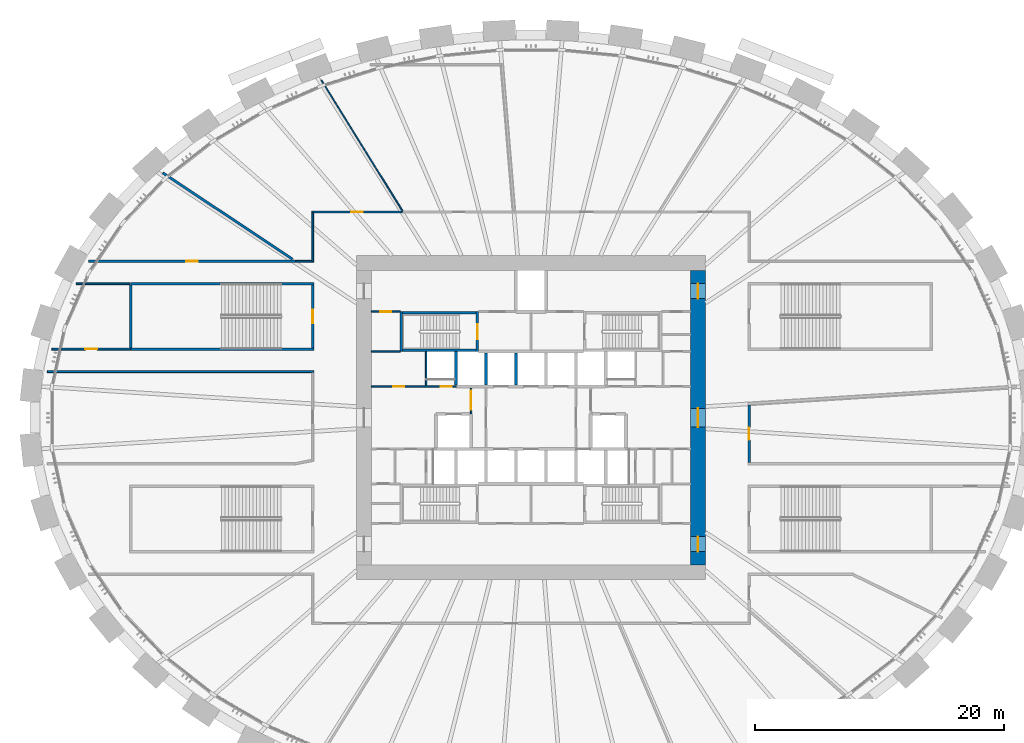
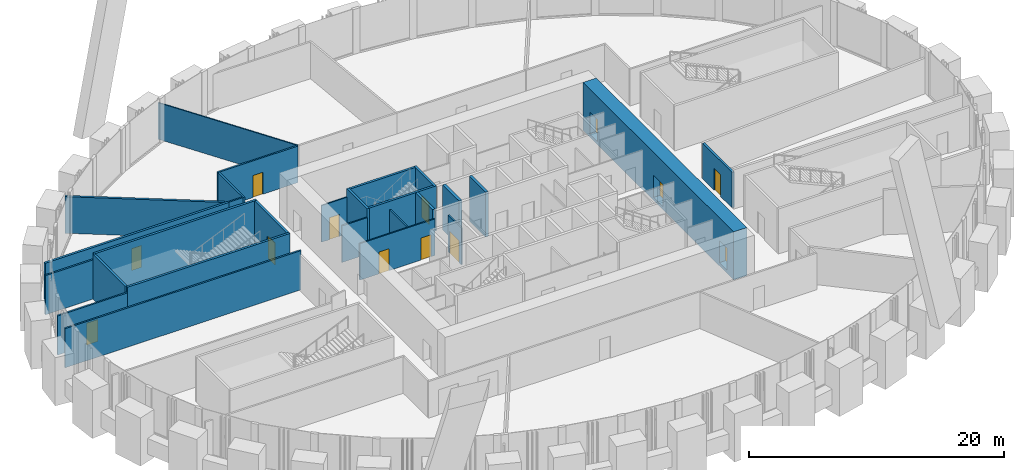
# One storey, part 8 of 21: 27 walls, 13 doors, 13 openings.
"""IFC4 building model written with IfcOpenShell, lengths in metres."""

from ifc_helpers import new_model, si_unit, direction, frame, frame_2d, origin, place, context, subcontext, project, spatial, rectangle, extrude, source, transform, mapped, material, layer, layer_set, type_object, element, fill, save


model = new_model("IFC4")

# Units and contexts
model_context = context("Model", 3, precision=1e-05, world=origin(), true_north=direction((0.0, 1.0)))
body_context = subcontext(model_context, "Body", "Model", "MODEL_VIEW")
ifc_project = project(units=[si_unit("LENGTHUNIT", "METRE"), si_unit("AREAUNIT", "SQUARE_METRE"), si_unit("VOLUMEUNIT", "CUBIC_METRE"), si_unit("PLANEANGLEUNIT", "RADIAN"), si_unit("MASSUNIT", "GRAM", prefix="KILO")], contexts=[model_context])

# Site, building, storey
site_placement = place(None, origin())
site = spatial("IfcSite", under=ifc_project, at=site_placement, CompositionType="ELEMENT")
building_placement = place(site_placement, origin())
building = spatial("IfcBuilding", under=site, at=building_placement, Name="Embergate Tower", CompositionType="ELEMENT")
storey_placement = place(building_placement, frame((0.0, 0.0, 33.5)))
storey = spatial("IfcBuildingStorey", under=building, at=storey_placement, Name="L04", CompositionType="ELEMENT", Elevation=33.5)

# Wall, openings, doors
ifc_material_1 = material(Name="Concrete C80", Category="concrete")
ifc_layer_1 = layer(ifc_material_1, 1.199951171875)
ifc_layer_set_1 = layer_set([ifc_layer_1], Name="Concrete C80")
wall_type_1 = type_object("IfcWallType", Name="Core outer wall C80 1200", PredefinedType="SHEAR", material=ifc_layer_set_1)
shared_shape_1 = source(origin(), body_context, "Body", "SweptSolid", [
    extrude(rectangle(XDim=23.60009765625, YDim=1.199951171875, at=frame_2d((11.800048828125, 0.0))), origin(), (0.0, 0.0, 1.0), 4.60009765625),
])
wall_1_placement = place(storey_placement, frame((13.39990234375, -11.800048828125, -0.300048828125), z_axis=(0.0, 0.0, 1.0), x_axis=(0.0, 1.0, 0.0)))
wall_1 = element("IfcWall", 1, at=wall_1_placement, inside=storey, type_object=wall_type_1, Name="CW-L04-E", PredefinedType="SHEAR", context=body_context, shape_type="MappedRepresentation", body=[
    mapped(shared_shape_1, transform((0.0, 0.0, 0.0))),
])
shared_shape_2 = source(origin(), body_context, "Body", "SweptSolid", [
    extrude(rectangle(XDim=1.199951171875, YDim=2.10009765625, at=frame_2d((0.60009765625, 1.050048828125))), frame((0.0, 0.60986328125, 0.0), z_axis=(0.0, -1.0, 0.0), x_axis=(1.0, 0.0, 0.0)), (0.0, 0.0, 1.0), 1.219970703125),
])
opening_1_placement = place(wall_1_placement, frame((21.35009765625, 0.0, 0.300048828125)))
opening_1 = element("IfcOpeningElement", 2, at=opening_1_placement, cuts=wall_1, Name="Opening IF-1", PredefinedType="OPENING", context=body_context, shape_type="MappedRepresentation", body=[
    mapped(shared_shape_2, transform((0.0, 0.0, 0.0))),
])
opening_2_placement = place(wall_1_placement, frame((1.050048828125, 0.0, 0.300048828125)))
opening_2 = element("IfcOpeningElement", 3, at=opening_2_placement, cuts=wall_1, Name="Opening IF-1", PredefinedType="OPENING", context=body_context, shape_type="MappedRepresentation", body=[
    mapped(shared_shape_2, transform((0.0, 0.0, 0.0))),
])
shared_shape_3 = source(origin(), body_context, "Body", "SweptSolid", [
    extrude(rectangle(XDim=1.5, YDim=2.10009765625, at=frame_2d((0.75, 1.050048828125))), frame((0.0, 0.60986328125, 0.0), z_axis=(0.0, -1.0, 0.0), x_axis=(1.0, 0.0, 0.0)), (0.0, 0.0, 1.0), 1.219970703125),
])
opening_3_placement = place(wall_1_placement, frame((11.050048828125, 0.0, 0.300048828125)))
opening_3 = element("IfcOpeningElement", 4, at=opening_3_placement, cuts=wall_1, Name="Opening IF-3", PredefinedType="OPENING", context=body_context, shape_type="MappedRepresentation", body=[
    mapped(shared_shape_3, transform((0.0, 0.0, 0.0))),
])
ifc_material_2 = material(Name="Escape fire door 1200")
door_type_1 = type_object("IfcDoorType", Name="Escape fire door 1200", OperationType="SINGLE_SWING_LEFT", PredefinedType="DOOR", material=ifc_material_2)
shared_shape_4 = source(origin(), body_context, "Body", "SweptSolid", [
    extrude(rectangle(XDim=1.199951171875, YDim=2.10009765625, at=frame_2d((0.60009765625, 1.050048828125))), frame((0.0, 0.02490234375, 0.0), z_axis=(0.0, -1.0, 0.0), x_axis=(1.0, 0.0, 0.0)), (0.0, 0.0, 1.0), 0.050048828125),
])
door_1_placement = place(opening_1_placement, origin())
door_1 = element("IfcDoor", 5, at=door_1_placement, inside=storey, type_object=door_type_1, Name="IF-1 door", OperationType="SINGLE_SWING_RIGHT", OverallHeight=2.10009765625, OverallWidth=1.199951171875, PredefinedType="DOOR", context=body_context, shape_type="MappedRepresentation", body=[
    mapped(shared_shape_4, transform((0.0, 0.0, 0.0))),
])
fill(opening_1, door_1)
door_2_placement = place(opening_2_placement, origin())
door_2 = element("IfcDoor", 6, at=door_2_placement, inside=storey, type_object=door_type_1, Name="IF-1 door", OperationType="SINGLE_SWING_LEFT", OverallHeight=2.10009765625, OverallWidth=1.199951171875, PredefinedType="DOOR", context=body_context, shape_type="MappedRepresentation", body=[
    mapped(shared_shape_4, transform((0.0, 0.0, 0.0))),
])
fill(opening_2, door_2)
ifc_material_3 = material(Name="Lobby fire door pair 1500")
door_type_2 = type_object("IfcDoorType", Name="Lobby fire door pair 1500", OperationType="DOUBLE_DOOR_SINGLE_SWING", PredefinedType="DOOR", material=ifc_material_3)
shared_shape_5 = source(origin(), body_context, "Body", "SweptSolid", [
    extrude(rectangle(XDim=1.5, YDim=2.10009765625, at=frame_2d((0.75, 1.050048828125))), frame((0.0, 0.02490234375, 0.0), z_axis=(0.0, -1.0, 0.0), x_axis=(1.0, 0.0, 0.0)), (0.0, 0.0, 1.0), 0.050048828125),
])
door_3_placement = place(opening_3_placement, origin())
door_3 = element("IfcDoor", 7, at=door_3_placement, inside=storey, type_object=door_type_2, Name="IF-3 door", OperationType="DOUBLE_DOOR_SINGLE_SWING", OverallHeight=2.10009765625, OverallWidth=1.5, PredefinedType="DOOR", context=body_context, shape_type="MappedRepresentation", body=[
    mapped(shared_shape_5, transform((0.0, 0.0, 0.0))),
])
fill(opening_3, door_3)

# Wall
ifc_material_4 = material(Name="Concrete C50", Category="concrete")
ifc_layer_2 = layer(ifc_material_4, 0.25)
ifc_layer_set_2 = layer_set([ifc_layer_2], Name="Concrete C50")
wall_type_2 = type_object("IfcWallType", Name="Hoistway wall reinforced concrete 250", PredefinedType="SHEAR", material=ifc_layer_set_2)
shared_shape_6 = source(origin(), body_context, "Body", "SweptSolid", [
    extrude(rectangle(XDim=2.675048828125, YDim=0.25, at=frame_2d((1.33740234375, 0.0))), origin(), (0.0, 0.0, 1.0), 4.300048828125),
])
wall_2_placement = place(storey_placement, frame((-6.0, 2.625, 0.0), z_axis=(0.0, 0.0, 1.0), x_axis=(0.0, 1.0, 0.0)))
element("IfcWall", 8, at=wall_2_placement, inside=storey, type_object=wall_type_2, Name="HW-1 wall", PredefinedType="SHEAR", context=body_context, shape_type="MappedRepresentation", body=[
    mapped(shared_shape_6, transform((0.0, 0.0, 0.0))),
])

# Wall, openings, doors
ifc_material_5 = material(Name="Core partition blockwork 120")
ifc_layer_3 = layer(ifc_material_5, 0.1201171875)
ifc_layer_set_3 = layer_set([ifc_layer_3], Name="Core partition blockwork 120")
wall_type_3 = type_object("IfcWallType", Name="Core partition blockwork 120", PredefinedType="PARTITIONING", material=ifc_layer_set_3)
shared_shape_7 = source(origin(), body_context, "Body", "SweptSolid", [
    extrude(rectangle(XDim=6.800048828125, YDim=0.1201171875, at=frame_2d((3.39990234375, 0.0))), origin(), (0.0, 0.0, 1.0), 3.5),
])
wall_3_placement = place(storey_placement, frame((-12.800048828125, 2.5, 0.0), z_axis=(0.0, 0.0, 1.0), x_axis=(1.0, 0.0, 0.0)))
wall_3 = element("IfcWall", 9, at=wall_3_placement, inside=storey, type_object=wall_type_3, Name="IP-3 wall", PredefinedType="PARTITIONING", context=body_context, shape_type="MappedRepresentation", body=[
    mapped(shared_shape_7, transform((0.0, 0.0, 0.0))),
])
shared_shape_8 = source(origin(), body_context, "Body", "SweptSolid", [
    extrude(rectangle(XDim=0.89990234375, YDim=2.10009765625, at=frame_2d((0.449951171875, 1.050048828125))), frame((0.0, 0.070068359375, 0.0), z_axis=(0.0, -1.0, 0.0), x_axis=(1.0, 0.0, 0.0)), (0.0, 0.0, 1.0), 0.14013671875),
])
opening_4_placement = place(wall_3_placement, frame((5.550048828125, 0.0, 0.0)))
opening_4 = element("IfcOpeningElement", 10, at=opening_4_placement, cuts=wall_3, Name="Opening ID-1", PredefinedType="OPENING", context=body_context, shape_type="MappedRepresentation", body=[
    mapped(shared_shape_8, transform((0.0, 0.0, 0.0))),
])
opening_5_placement = place(wall_3_placement, frame((1.75, 0.0, 0.0)))
opening_5 = element("IfcOpeningElement", 11, at=opening_5_placement, cuts=wall_3, Name="Opening ID-1", PredefinedType="OPENING", context=body_context, shape_type="MappedRepresentation", body=[
    mapped(shared_shape_8, transform((0.0, 0.0, 0.0))),
])
ifc_material_6 = material(Name="Interior door 900")
door_type_3 = type_object("IfcDoorType", Name="Interior door 900", OperationType="SINGLE_SWING_LEFT", PredefinedType="DOOR", material=ifc_material_6)
shared_shape_9 = source(origin(), body_context, "Body", "SweptSolid", [
    extrude(rectangle(XDim=0.89990234375, YDim=2.10009765625, at=frame_2d((0.449951171875, 1.050048828125))), frame((0.0, 0.02490234375, 0.0), z_axis=(0.0, -1.0, 0.0), x_axis=(1.0, 0.0, 0.0)), (0.0, 0.0, 1.0), 0.050048828125),
])
door_4_placement = place(opening_4_placement, origin())
door_4 = element("IfcDoor", 12, at=door_4_placement, inside=storey, type_object=door_type_3, Name="ID-1 door", OperationType="SINGLE_SWING_RIGHT", OverallHeight=2.10009765625, OverallWidth=0.89990234375, PredefinedType="DOOR", context=body_context, shape_type="MappedRepresentation", body=[
    mapped(shared_shape_9, transform((0.0, 0.0, 0.0))),
])
fill(opening_4, door_4)
door_5_placement = place(opening_5_placement, origin())
door_5 = element("IfcDoor", 13, at=door_5_placement, inside=storey, type_object=door_type_3, Name="ID-1 door", OperationType="SINGLE_SWING_RIGHT", OverallHeight=2.10009765625, OverallWidth=0.89990234375, PredefinedType="DOOR", context=body_context, shape_type="MappedRepresentation", body=[
    mapped(shared_shape_9, transform((0.0, 0.0, 0.0))),
])
fill(opening_5, door_5)

# Walls
ifc_layer_4 = layer(ifc_material_4, 0.199951171875)
ifc_layer_set_4 = layer_set([ifc_layer_4], Name="Concrete C50")
wall_type_4 = type_object("IfcWallType", Name="Stair enclosure wall reinforced concrete 250", PredefinedType="SHEAR", material=ifc_layer_set_4)
shared_shape_10 = source(origin(), body_context, "Body", "SweptSolid", [
    extrude(rectangle(XDim=6.300048828125, YDim=0.199951171875, at=frame_2d((3.14990234375, 0.0))), origin(), (0.0, 0.0, 1.0), 4.300048828125),
])
for number, where, z_axis, x_axis, name in (
    (14, (-4.199951171875, 5.39990234375, 0.0), (0.0, 0.0, 1.0), (-1.0, 0.0, 0.0), "SE-1 wall"),
    (15, (-4.199951171875, 8.39990234375, 0.0), (0.0, 0.0, 1.0), (-1.0, 0.0, 0.0), "SE-1 wall"),
):
    element("IfcWall", number, at=place(storey_placement, frame(where, z_axis=z_axis, x_axis=x_axis)), inside=storey, type_object=wall_type_4, Name=name, PredefinedType="SHEAR", context=body_context, shape_type="MappedRepresentation", body=[
        mapped(shared_shape_10, transform((0.0, 0.0, 0.0))),
    ])
shared_shape_11 = source(origin(), body_context, "Body", "SweptSolid", [
    extrude(rectangle(XDim=2.739990234375, YDim=0.1201171875, at=frame_2d((1.3701171875, 0.0))), origin(), (0.0, 0.0, 1.0), 3.5),
])
wall_4_placement = place(storey_placement, frame((-8.39990234375, 5.300048828125, 0.0), z_axis=(0.0, 0.0, 1.0), x_axis=(0.0, -1.0, 0.0)))
element("IfcWall", 16, at=wall_4_placement, inside=storey, type_object=wall_type_3, Name="IP-3 wall", PredefinedType="PARTITIONING", context=body_context, shape_type="MappedRepresentation", body=[
    mapped(shared_shape_11, transform((0.0, 0.0, 0.0))),
])
shared_shape_12 = source(origin(), body_context, "Body", "SweptSolid", [
    extrude(rectangle(XDim=2.550048828125, YDim=0.25, at=frame_2d((1.27490234375, 0.0))), origin(), (0.0, 0.0, 1.0), 4.300048828125),
])
for number, where, z_axis, x_axis, name in (
    (17, (-3.60009765625, 2.625, 0.0), (0.0, 0.0, 1.0), (0.0, 1.0, 0.0), "HW-1 wall"),
    (18, (-1.199951171875, 2.625, 0.0), (0.0, 0.0, 1.0), (0.0, 1.0, 0.0), "HW-1 wall"),
):
    element("IfcWall", number, at=place(storey_placement, frame(where, z_axis=z_axis, x_axis=x_axis)), inside=storey, type_object=wall_type_2, Name=name, PredefinedType="SHEAR", context=body_context, shape_type="MappedRepresentation", body=[
        mapped(shared_shape_12, transform((0.0, 0.0, 0.0))),
    ])

# Wall, opening, door
shared_shape_13 = source(origin(), body_context, "Body", "SweptSolid", [
    extrude(rectangle(XDim=2.074951171875, YDim=0.1201171875, at=frame_2d((1.03759765625, 0.0))), origin(), (0.0, 0.0, 1.0), 3.5),
])
wall_5_placement = place(storey_placement, frame((-4.800048828125, 2.375, 0.0), z_axis=(0.0, 0.0, 1.0), x_axis=(0.0, -1.0, 0.0)))
wall_5 = element("IfcWall", 19, at=wall_5_placement, inside=storey, type_object=wall_type_3, Name="IP-3 wall", PredefinedType="PARTITIONING", context=body_context, shape_type="MappedRepresentation", body=[
    mapped(shared_shape_13, transform((0.0, 0.0, 0.0))),
])
shared_shape_14 = source(origin(), body_context, "Body", "SweptSolid", [
    extrude(rectangle(XDim=1.5, YDim=2.10009765625, at=frame_2d((0.75, 1.050048828125))), frame((0.0, 0.070068359375, 0.0), z_axis=(0.0, -1.0, 0.0), x_axis=(1.0, 0.0, 0.0)), (0.0, 0.0, 1.0), 0.14013671875),
])
opening_6_placement = place(wall_5_placement, frame((0.22509765625, 0.0, 0.0)))
opening_6 = element("IfcOpeningElement", 20, at=opening_6_placement, cuts=wall_5, Name="Opening IF-3", PredefinedType="OPENING", context=body_context, shape_type="MappedRepresentation", body=[
    mapped(shared_shape_14, transform((0.0, 0.0, 0.0))),
])
door_6_placement = place(opening_6_placement, origin())
door_6 = element("IfcDoor", 21, at=door_6_placement, inside=storey, type_object=door_type_2, Name="IF-3 door", OperationType="DOUBLE_DOOR_SINGLE_SWING", OverallHeight=2.10009765625, OverallWidth=1.5, PredefinedType="DOOR", context=body_context, shape_type="MappedRepresentation", body=[
    mapped(shared_shape_5, transform((0.0, 0.0, 0.0))),
])
fill(opening_6, door_6)

shared_shape_15 = source(origin(), body_context, "Body", "SweptSolid", [
    extrude(rectangle(XDim=3.199951171875, YDim=0.199951171875, at=frame_2d((1.60009765625, 0.0))), origin(), (0.0, 0.0, 1.0), 4.300048828125),
])
wall_6_placement = place(storey_placement, frame((-4.300048828125, 5.300048828125, 0.0), z_axis=(0.0, 0.0, 1.0), x_axis=(0.0, 1.0, 0.0)))
wall_6 = element("IfcWall", 22, at=wall_6_placement, inside=storey, type_object=wall_type_4, Name="SE-1 wall", PredefinedType="SHEAR", context=body_context, shape_type="MappedRepresentation", body=[
    mapped(shared_shape_15, transform((0.0, 0.0, 0.0))),
])
shared_shape_16 = source(origin(), body_context, "Body", "SweptSolid", [
    extrude(rectangle(XDim=1.199951171875, YDim=2.10009765625, at=frame_2d((0.60009765625, 1.050048828125))), frame((0.0, 0.10986328125, 0.0), z_axis=(0.0, -1.0, 0.0), x_axis=(1.0, 0.0, 0.0)), (0.0, 0.0, 1.0), 0.219970703125),
])
opening_7_placement = place(wall_6_placement, frame((1.0, 0.0, 0.0)))
opening_7 = element("IfcOpeningElement", 23, at=opening_7_placement, cuts=wall_6, Name="Opening IF-2", PredefinedType="OPENING", context=body_context, shape_type="MappedRepresentation", body=[
    mapped(shared_shape_16, transform((0.0, 0.0, 0.0))),
])
ifc_material_7 = material(Name="Stair enclosure door 1200")
door_type_4 = type_object("IfcDoorType", Name="Stair enclosure door 1200", OperationType="SINGLE_SWING_LEFT", PredefinedType="DOOR", material=ifc_material_7)
door_7_placement = place(opening_7_placement, origin())
door_7 = element("IfcDoor", 24, at=door_7_placement, inside=storey, type_object=door_type_4, Name="IF-2 door", OperationType="SINGLE_SWING_LEFT", OverallHeight=2.10009765625, OverallWidth=1.199951171875, PredefinedType="DOOR", context=body_context, shape_type="MappedRepresentation", body=[
    mapped(shared_shape_4, transform((0.0, 0.0, 0.0))),
])
fill(opening_7, door_7)

# Wall
wall_7_placement = place(storey_placement, frame((-10.39990234375, 8.5, 0.0), z_axis=(0.0, 0.0, 1.0), x_axis=(0.0, -1.0, 0.0)))
element("IfcWall", 25, at=wall_7_placement, inside=storey, type_object=wall_type_4, Name="SE-1 wall", PredefinedType="SHEAR", context=body_context, shape_type="MappedRepresentation", body=[
    mapped(shared_shape_15, transform((0.0, 0.0, 0.0))),
])

# Wall, opening, door
shared_shape_17 = source(origin(), body_context, "Body", "SweptSolid", [
    extrude(rectangle(XDim=2.300048828125, YDim=0.1201171875, at=frame_2d((1.14990234375, 0.0))), origin(), (0.0, 0.0, 1.0), 3.5),
])
wall_8_placement = place(storey_placement, frame((-12.800048828125, 8.5, 0.0), z_axis=(0.0, 0.0, 1.0), x_axis=(1.0, 0.0, 0.0)))
wall_8 = element("IfcWall", 26, at=wall_8_placement, inside=storey, type_object=wall_type_3, Name="IP-3 wall", PredefinedType="PARTITIONING", context=body_context, shape_type="MappedRepresentation", body=[
    mapped(shared_shape_17, transform((0.0, 0.0, 0.0))),
])
opening_8_placement = place(wall_8_placement, frame((0.699951171875, 0.0, 0.0)))
opening_8 = element("IfcOpeningElement", 27, at=opening_8_placement, cuts=wall_8, Name="Opening ID-1", PredefinedType="OPENING", context=body_context, shape_type="MappedRepresentation", body=[
    mapped(shared_shape_8, transform((0.0, 0.0, 0.0))),
])
door_8_placement = place(opening_8_placement, origin())
door_8 = element("IfcDoor", 28, at=door_8_placement, inside=storey, type_object=door_type_3, Name="ID-1 door", OperationType="SINGLE_SWING_LEFT", OverallHeight=2.10009765625, OverallWidth=0.89990234375, PredefinedType="DOOR", context=body_context, shape_type="MappedRepresentation", body=[
    mapped(shared_shape_9, transform((0.0, 0.0, 0.0))),
])
fill(opening_8, door_8)

# Walls
wall_9_placement = place(storey_placement, frame((-10.5, 5.300048828125, 0.0), z_axis=(0.0, 0.0, 1.0), x_axis=(-1.0, 0.0, 0.0)))
element("IfcWall", 29, at=wall_9_placement, inside=storey, type_object=wall_type_3, Name="IP-3 wall", PredefinedType="PARTITIONING", context=body_context, shape_type="MappedRepresentation", body=[
    mapped(shared_shape_17, transform((0.0, 0.0, 0.0))),
])
ifc_material_8 = material(Name="Plasterboard on steel stud", Category="steel")
ifc_layer_5 = layer(ifc_material_8, 0.14990234375)
ifc_layer_set_5 = layer_set([ifc_layer_5], Name="Plasterboard on steel stud")
wall_type_5 = type_object("IfcWallType", Name="Partition wall 150 board", PredefinedType="PARTITIONING", material=ifc_layer_set_5)
shared_shape_18 = source(origin(), body_context, "Body", "SweptSolid", [
    extrude(rectangle(XDim=21.35888671875, YDim=0.14990234375, at=frame_2d((10.679443359375, 0.0))), origin(), (0.0, 0.0, 1.0), 3.75),
])
wall_10_placement = place(storey_placement, frame((-38.783935546875, 3.699951171875, 0.0), z_axis=(0.0, 0.0, 1.0), x_axis=(1.0, 0.0, 0.0)))
element("IfcWall", 30, at=wall_10_placement, inside=storey, type_object=wall_type_5, Name="Partition 001", PredefinedType="PARTITIONING", context=body_context, shape_type="MappedRepresentation", body=[
    mapped(shared_shape_18, transform((0.0, 0.0, 0.0))),
])
shared_shape_19 = source(origin(), body_context, "Body", "SweptSolid", [
    extrude(rectangle(XDim=4.307861328125, YDim=0.14990234375, at=frame_2d((2.15380859375, 0.0))), origin(), (0.0, 0.0, 1.0), 3.75),
])
wall_11_placement = place(storey_placement, frame((-36.48388671875, 10.75, 0.0), z_axis=(0.0, 0.0, 1.0), x_axis=(1.0, 0.0, 0.0)))
element("IfcWall", 31, at=wall_11_placement, inside=storey, type_object=wall_type_5, Name="Partition 002", PredefinedType="PARTITIONING", context=body_context, shape_type="MappedRepresentation", body=[
    mapped(shared_shape_19, transform((0.0, 0.0, 0.0))),
])

# Wall, opening, door
ifc_material_9 = material(Name="Concrete C40", Category="concrete")
ifc_layer_6 = layer(ifc_material_9, 0.199951171875)
ifc_layer_set_6 = layer_set([ifc_layer_6], Name="Concrete C40")
wall_type_6 = type_object("IfcWallType", Name="Stair enclosure wall RC 200", PredefinedType="STANDARD", material=ifc_layer_set_6)
shared_shape_20 = source(origin(), body_context, "Body", "SweptSolid", [
    extrude(rectangle(XDim=5.0498046875, YDim=0.199951171875, at=frame_2d((2.52490234375, 0.0))), origin(), (0.0, 0.0, 1.0), 4.300048828125),
])
wall_12_placement = place(storey_placement, frame((-17.5, 5.60009765625, 0.0), z_axis=(0.0, 0.0, 1.0), x_axis=(0.0, 1.0, 0.0)))
wall_12 = element("IfcWall", 32, at=wall_12_placement, inside=storey, type_object=wall_type_6, Name="Stair wall 017", PredefinedType="STANDARD", context=body_context, shape_type="MappedRepresentation", body=[
    mapped(shared_shape_20, transform((0.0, 0.0, 0.0))),
])
shared_shape_21 = source(origin(), body_context, "Body", "SweptSolid", [
    extrude(rectangle(XDim=1.10009765625, YDim=2.10009765625, at=frame_2d((0.550048828125, 1.050048828125))), frame((0.0, 0.10986328125, 0.0), z_axis=(0.0, -1.0, 0.0), x_axis=(1.0, 0.0, 0.0)), (0.0, 0.0, 1.0), 0.219970703125),
])
opening_9_placement = place(wall_12_placement, frame((1.97509765625, 0.0, 0.0)))
opening_9 = element("IfcOpeningElement", 33, at=opening_9_placement, cuts=wall_12, Name="Opening DS-102", PredefinedType="OPENING", context=body_context, shape_type="MappedRepresentation", body=[
    mapped(shared_shape_21, transform((0.0, 0.0, 0.0))),
])
ifc_material_10 = material(Name="Steel fire door leaf", Category="steel")
door_type_5 = type_object("IfcDoorType", Name="Fire door class B 1100x2100", OperationType="SINGLE_SWING_LEFT", PredefinedType="DOOR", material=ifc_material_10)
shared_shape_22 = source(origin(), body_context, "Body", "SweptSolid", [
    extrude(rectangle(XDim=1.10009765625, YDim=2.10009765625, at=frame_2d((0.550048828125, 1.050048828125))), frame((0.0, 0.02490234375, 0.0), z_axis=(0.0, -1.0, 0.0), x_axis=(1.0, 0.0, 0.0)), (0.0, 0.0, 1.0), 0.050048828125),
])
door_9_placement = place(opening_9_placement, origin())
door_9 = element("IfcDoor", 34, at=door_9_placement, inside=storey, type_object=door_type_5, Name="Door to Exit stair enclosure", OperationType="SINGLE_SWING_LEFT", OverallHeight=2.10009765625, OverallWidth=1.10009765625, PredefinedType="DOOR", context=body_context, shape_type="MappedRepresentation", body=[
    mapped(shared_shape_22, transform((0.0, 0.0, 0.0))),
])
fill(opening_9, door_9)

shared_shape_23 = source(origin(), body_context, "Body", "SweptSolid", [
    extrude(rectangle(XDim=6.303955078125, YDim=0.14990234375, at=frame_2d((3.15185546875, 0.0))), origin(), (0.0, 0.0, 1.0), 3.75),
])
wall_13_placement = place(storey_placement, frame((-32.1201171875, 5.5, 0.0), z_axis=(0.0, 0.0, 1.0), x_axis=(-1.0, 0.0, 0.0)))
wall_13 = element("IfcWall", 35, at=wall_13_placement, inside=storey, type_object=wall_type_5, Name="Partition 006", PredefinedType="PARTITIONING", context=body_context, shape_type="MappedRepresentation", body=[
    mapped(shared_shape_23, transform((0.0, 0.0, 0.0))),
])
shared_shape_24 = source(origin(), body_context, "Body", "SweptSolid", [
    extrude(rectangle(XDim=1.0, YDim=2.10009765625, at=frame_2d((0.5, 1.050048828125))), frame((0.0, 0.0849609375, 0.0), z_axis=(0.0, -1.0, 0.0), x_axis=(1.0, 0.0, 0.0)), (0.0, 0.0, 1.0), 0.169921875),
])
opening_10_placement = place(wall_13_placement, frame((2.652099609375, 0.0, 0.0)))
opening_10 = element("IfcOpeningElement", 36, at=opening_10_placement, cuts=wall_13, Name="Opening DS-091", PredefinedType="OPENING", context=body_context, shape_type="MappedRepresentation", body=[
    mapped(shared_shape_24, transform((0.0, 0.0, 0.0))),
])
ifc_material_11 = material(Name="Timber door leaf, steel frame", Category="steel")
door_type_6 = type_object("IfcDoorType", Name="Single door 1000x2100", OperationType="SINGLE_SWING_LEFT", PredefinedType="DOOR", material=ifc_material_11)
shared_shape_25 = source(origin(), body_context, "Body", "SweptSolid", [
    extrude(rectangle(XDim=1.0, YDim=2.10009765625, at=frame_2d((0.5, 1.050048828125))), frame((0.0, 0.02490234375, 0.0), z_axis=(0.0, -1.0, 0.0), x_axis=(1.0, 0.0, 0.0)), (0.0, 0.0, 1.0), 0.050048828125),
])
door_10_placement = place(opening_10_placement, origin())
door_10 = element("IfcDoor", 37, at=door_10_placement, inside=storey, type_object=door_type_6, Name="Door to Changing room", OperationType="SINGLE_SWING_LEFT", OverallHeight=2.10009765625, OverallWidth=1.0, PredefinedType="DOOR", context=body_context, shape_type="MappedRepresentation", body=[
    mapped(shared_shape_25, transform((0.0, 0.0, 0.0))),
])
fill(opening_10, door_10)

# Walls
shared_shape_26 = source(origin(), body_context, "Body", "SweptSolid", [
    extrude(rectangle(XDim=14.72021484375, YDim=0.199951171875, at=frame_2d((7.360107421875, 0.0))), origin(), (0.0, 0.0, 1.0), 4.300048828125),
])
for number, where, z_axis, x_axis, name in (
    (38, (-32.1201171875, 5.5, 0.0), (0.0, 0.0, 1.0), (1.0, 0.0, 0.0), "Stair wall 007"),
    (39, (-17.39990234375, 10.75, 0.0), (0.0, 0.0, 1.0), (-1.0, 0.0, 0.0), "Stair wall 018"),
):
    element("IfcWall", number, at=place(storey_placement, frame(where, z_axis=z_axis, x_axis=x_axis)), inside=storey, type_object=wall_type_6, Name=name, PredefinedType="STANDARD", context=body_context, shape_type="MappedRepresentation", body=[
        mapped(shared_shape_26, transform((0.0, 0.0, 0.0))),
    ])
shared_shape_27 = source(origin(), body_context, "Body", "SweptSolid", [
    extrude(rectangle(XDim=5.031005859375, YDim=0.199951171875, at=frame_2d((2.515625, 0.0))), origin(), (0.0, 0.0, 1.0), 4.300048828125),
])
wall_14_placement = place(storey_placement, frame((-32.1201171875, 10.631103515625, 0.0), z_axis=(0.0, 0.0, 1.0), x_axis=(0.0, -1.0, 0.0)))
element("IfcWall", 40, at=wall_14_placement, inside=storey, type_object=wall_type_6, Name="Stair wall 008", PredefinedType="STANDARD", context=body_context, shape_type="MappedRepresentation", body=[
    mapped(shared_shape_27, transform((0.0, 0.0, 0.0))),
])

# Wall, opening, door
ifc_material_12 = material(Name="Blockwork, plastered", Category="masonry")
ifc_layer_7 = layer(ifc_material_12, 0.199951171875)
ifc_layer_set_7 = layer_set([ifc_layer_7], Name="Blockwork, plastered")
wall_type_7 = type_object("IfcWallType", Name="Partition wall 200 block", PredefinedType="PARTITIONING", material=ifc_layer_set_7)
shared_shape_28 = source(origin(), body_context, "Body", "SweptSolid", [
    extrude(rectangle(XDim=16.620849609375, YDim=0.199951171875, at=frame_2d((8.310546875, 0.0))), origin(), (0.0, 0.0, 1.0), 3.5),
])
wall_15_placement = place(storey_placement, frame((-18.8720703125, 12.550048828125, 0.0), z_axis=(0.0, 0.0, 1.0), x_axis=(-1.0, 0.0, 0.0)))
wall_15 = element("IfcWall", 41, at=wall_15_placement, inside=storey, type_object=wall_type_7, Name="Partition 010", PredefinedType="PARTITIONING", context=body_context, shape_type="MappedRepresentation", body=[
    mapped(shared_shape_28, transform((0.0, 0.0, 0.0))),
])
shared_shape_29 = source(origin(), body_context, "Body", "SweptSolid", [
    extrude(rectangle(XDim=0.89990234375, YDim=2.10009765625, at=frame_2d((0.449951171875, 1.050048828125))), frame((0.0, 0.10986328125, 0.0), z_axis=(0.0, -1.0, 0.0), x_axis=(1.0, 0.0, 0.0)), (0.0, 0.0, 1.0), 0.219970703125),
])
opening_11_placement = place(wall_15_placement, frame((7.861083984375, 0.0, 0.0)))
opening_11 = element("IfcOpeningElement", 42, at=opening_11_placement, cuts=wall_15, Name="Opening DS-090", PredefinedType="OPENING", context=body_context, shape_type="MappedRepresentation", body=[
    mapped(shared_shape_29, transform((0.0, 0.0, 0.0))),
])
door_type_7 = type_object("IfcDoorType", Name="Single door 900x2100", OperationType="SINGLE_SWING_LEFT", PredefinedType="DOOR", material=ifc_material_11)
shared_shape_30 = source(origin(), body_context, "Body", "SweptSolid", [
    extrude(rectangle(XDim=0.89990234375, YDim=2.10009765625, at=frame_2d((0.449951171875, 1.050048828125))), frame((0.0, 0.02490234375, 0.0), z_axis=(0.0, -1.0, 0.0), x_axis=(1.0, 0.0, 0.0)), (0.0, 0.0, 1.0), 0.050048828125),
])
door_11_placement = place(opening_11_placement, origin())
door_11 = element("IfcDoor", 43, at=door_11_placement, inside=storey, type_object=door_type_7, Name="Door to Sauna", OperationType="SINGLE_SWING_LEFT", OverallHeight=2.10009765625, OverallWidth=0.89990234375, PredefinedType="DOOR", context=body_context, shape_type="MappedRepresentation", body=[
    mapped(shared_shape_30, transform((0.0, 0.0, 0.0))),
])
fill(opening_11, door_11)

# Walls
shared_shape_31 = source(origin(), body_context, "Body", "SweptSolid", [
    extrude(rectangle(XDim=12.509033203125, YDim=0.199951171875, at=frame_2d((6.25439453125, 0.0))), origin(), (0.0, 0.0, 1.0), 3.5),
])
wall_16_placement = place(storey_placement, frame((-19.1220703125, 12.716064453125, 0.0), z_axis=(0.0, 0.0, 1.0), x_axis=(-0.832677311511, 0.55375851677, 0.0)))
element("IfcWall", 44, at=wall_16_placement, inside=storey, type_object=wall_type_7, Name="Partition 011", PredefinedType="PARTITIONING", context=body_context, shape_type="MappedRepresentation", body=[
    mapped(shared_shape_31, transform((0.0, 0.0, 0.0))),
])
shared_shape_32 = source(origin(), body_context, "Body", "SweptSolid", [
    extrude(rectangle(XDim=1.297119140625, YDim=0.14990234375, at=frame_2d((0.6484375, 0.0))), origin(), (0.0, 0.0, 1.0), 3.5),
])
wall_17_placement = place(storey_placement, frame((-17.574951171875, 12.550048828125, 0.0), z_axis=(0.0, 0.0, 1.0), x_axis=(-1.0, 0.0, 0.0)))
element("IfcWall", 45, at=wall_17_placement, inside=storey, type_object=wall_type_5, Name="Partition 019", PredefinedType="PARTITIONING", context=body_context, shape_type="MappedRepresentation", body=[
    mapped(shared_shape_32, transform((0.0, 0.0, 0.0))),
])
shared_shape_33 = source(origin(), body_context, "Body", "SweptSolid", [
    extrude(rectangle(XDim=3.949951171875, YDim=0.14990234375, at=frame_2d((1.97509765625, 0.0))), origin(), (0.0, 0.0, 1.0), 3.5),
])
wall_18_placement = place(storey_placement, frame((-17.5, 12.47509765625, 0.0), z_axis=(0.0, 0.0, 1.0), x_axis=(0.0, 1.0, 0.0)))
element("IfcWall", 46, at=wall_18_placement, inside=storey, type_object=wall_type_5, Name="Partition 020", PredefinedType="PARTITIONING", context=body_context, shape_type="MappedRepresentation", body=[
    mapped(shared_shape_33, transform((0.0, 0.0, 0.0))),
])

# Wall, opening, door
shared_shape_34 = source(origin(), body_context, "Body", "SweptSolid", [
    extrude(rectangle(XDim=7.23583984375, YDim=0.14990234375, at=frame_2d((3.617919921875, 0.0))), origin(), (0.0, 0.0, 1.0), 3.5),
])
wall_19_placement = place(storey_placement, frame((-17.574951171875, 16.5, 0.0), z_axis=(0.0, 0.0, 1.0), x_axis=(1.0, 0.0, 0.0)))
wall_19 = element("IfcWall", 47, at=wall_19_placement, inside=storey, type_object=wall_type_5, Name="Partition 021", PredefinedType="PARTITIONING", context=body_context, shape_type="MappedRepresentation", body=[
    mapped(shared_shape_34, transform((0.0, 0.0, 0.0))),
])
shared_shape_35 = source(origin(), body_context, "Body", "SweptSolid", [
    extrude(rectangle(XDim=0.89990234375, YDim=2.10009765625, at=frame_2d((0.449951171875, 1.050048828125))), frame((0.0, 0.0849609375, 0.0), z_axis=(0.0, -1.0, 0.0), x_axis=(1.0, 0.0, 0.0)), (0.0, 0.0, 1.0), 0.169921875),
])
opening_12_placement = place(wall_19_placement, frame((3.16796875, 0.0, 0.0)))
opening_12 = element("IfcOpeningElement", 48, at=opening_12_placement, cuts=wall_19, Name="Opening DS-089", PredefinedType="OPENING", context=body_context, shape_type="MappedRepresentation", body=[
    mapped(shared_shape_35, transform((0.0, 0.0, 0.0))),
])
door_12_placement = place(opening_12_placement, origin())
door_12 = element("IfcDoor", 49, at=door_12_placement, inside=storey, type_object=door_type_7, Name="Door to Spa treatment room", OperationType="SINGLE_SWING_LEFT", OverallHeight=2.10009765625, OverallWidth=0.89990234375, PredefinedType="DOOR", context=body_context, shape_type="MappedRepresentation", body=[
    mapped(shared_shape_30, transform((0.0, 0.0, 0.0))),
])
fill(opening_12, door_12)

# Wall
ifc_material_13 = material(Name="Acoustic folding panels")
ifc_layer_8 = layer(ifc_material_13, 0.10009765625)
ifc_layer_set_8 = layer_set([ifc_layer_8], Name="Acoustic folding panels")
wall_type_8 = type_object("IfcWallType", Name="Movable partition wall 100 acoustic", PredefinedType="MOVABLE", material=ifc_layer_set_8)
shared_shape_36 = source(origin(), body_context, "Body", "SweptSolid", [
    extrude(rectangle(XDim=12.37890625, YDim=0.10009765625, at=frame_2d((6.189453125, 0.0))), origin(), (0.0, 0.0, 1.0), 3.5),
])
wall_20_placement = place(storey_placement, frame((-10.2890625, 16.56396484375, 0.0), z_axis=(0.0, 0.0, 1.0), x_axis=(-0.527674576674, 0.849446608759, 0.0)))
element("IfcWall", 50, at=wall_20_placement, inside=storey, type_object=wall_type_8, Name="Partition 024", PredefinedType="MOVABLE", context=body_context, shape_type="MappedRepresentation", body=[
    mapped(shared_shape_36, transform((0.0, 0.0, 0.0))),
])

# Wall, opening, door
shared_shape_37 = source(origin(), body_context, "Body", "SweptSolid", [
    extrude(rectangle(XDim=4.627197265625, YDim=0.199951171875, at=frame_2d((2.3134765625, 0.0))), origin(), (0.0, 0.0, 1.0), 3.39990234375),
])
wall_21_placement = place(storey_placement, frame((17.5, 1.027099609375, 0.0), z_axis=(0.0, 0.0, 1.0), x_axis=(0.0, -1.0, 0.0)))
wall_21 = element("IfcWall", 51, at=wall_21_placement, inside=storey, type_object=wall_type_7, Name="Partition 040", PredefinedType="PARTITIONING", context=body_context, shape_type="MappedRepresentation", body=[
    mapped(shared_shape_37, transform((0.0, 0.0, 0.0))),
])
shared_shape_38 = source(origin(), body_context, "Body", "SweptSolid", [
    extrude(rectangle(XDim=1.0, YDim=2.10009765625, at=frame_2d((0.5, 1.050048828125))), frame((0.0, 0.10986328125, 0.0), z_axis=(0.0, -1.0, 0.0), x_axis=(1.0, 0.0, 0.0)), (0.0, 0.0, 1.0), 0.219970703125),
])
opening_13_placement = place(wall_21_placement, frame((1.81396484375, 0.0, 0.0)))
opening_13 = element("IfcOpeningElement", 52, at=opening_13_placement, cuts=wall_21, Name="Opening DS-099", PredefinedType="OPENING", context=body_context, shape_type="MappedRepresentation", body=[
    mapped(shared_shape_38, transform((0.0, 0.0, 0.0))),
])
door_13_placement = place(opening_13_placement, origin())
door_13 = element("IfcDoor", 53, at=door_13_placement, inside=storey, type_object=door_type_6, Name="Door to Wellness store", OperationType="SINGLE_SWING_LEFT", OverallHeight=2.10009765625, OverallWidth=1.0, PredefinedType="DOOR", context=body_context, shape_type="MappedRepresentation", body=[
    mapped(shared_shape_25, transform((0.0, 0.0, 0.0))),
])
fill(opening_13, door_13)

save(model, "model.ifc")
